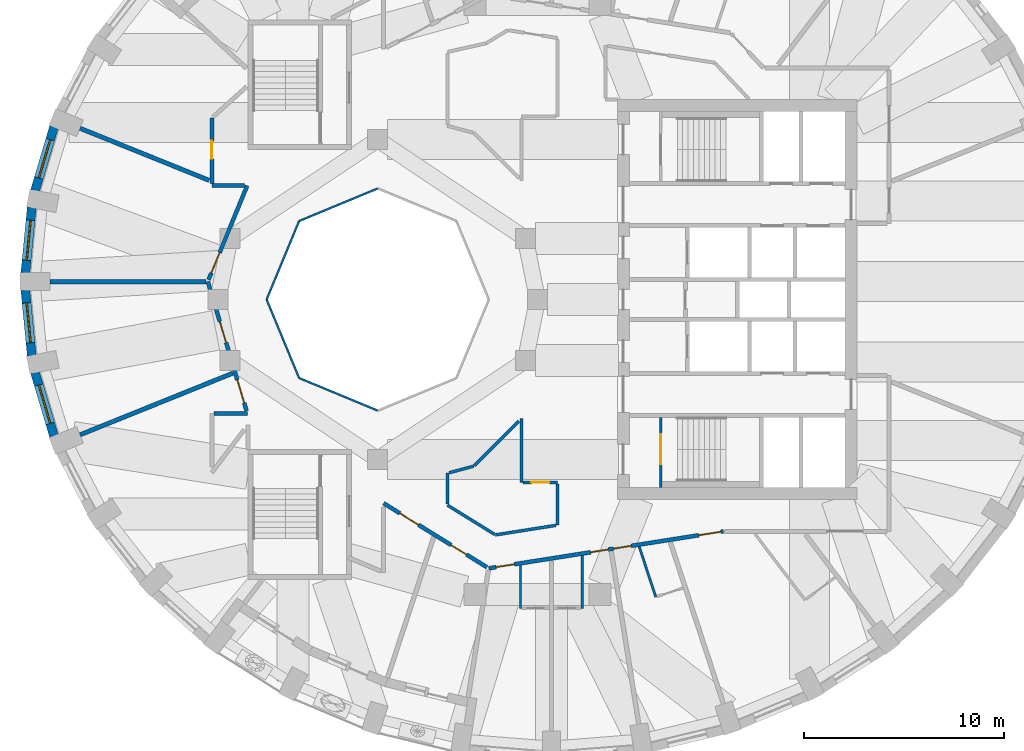
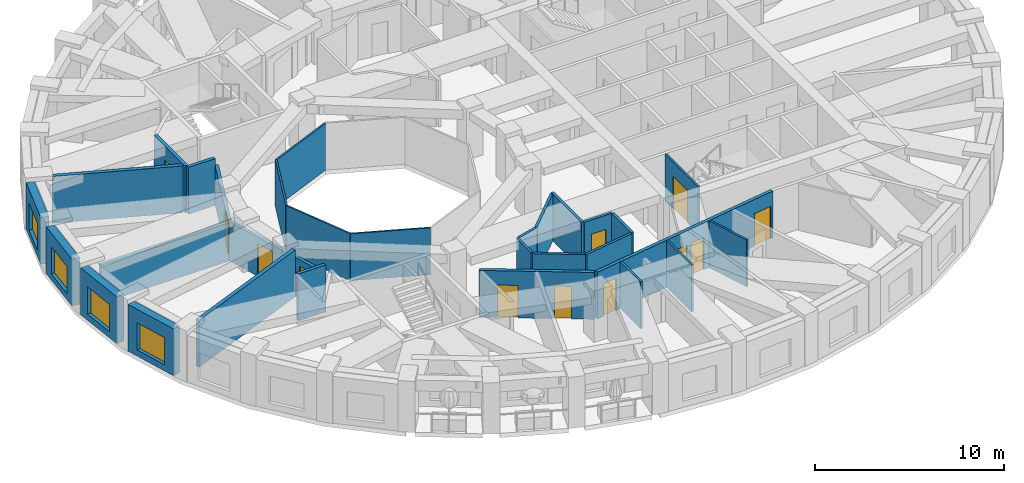
# One storey, part 4 of 12: 30 walls, 12 doors, 4 windows, 16 openings.
"""IFC4 building model written with IfcOpenShell, lengths in metres."""

from ifc_helpers import new_model, si_unit, direction, frame, frame_2d, origin, place, context, subcontext, project, spatial, rectangle, extrude, material, layer, layer_set, type_object, element, fill, save


model = new_model("IFC4")

# Units and contexts
model_context = context("Model", 3, precision=1e-05, world=origin(), true_north=direction((0.0, 1.0)))
body_context = subcontext(model_context, "Body", "Model", "MODEL_VIEW")
ifc_project = project(units=[si_unit("LENGTHUNIT", "METRE"), si_unit("AREAUNIT", "SQUARE_METRE"), si_unit("VOLUMEUNIT", "CUBIC_METRE"), si_unit("PLANEANGLEUNIT", "RADIAN"), si_unit("MASSUNIT", "GRAM", prefix="KILO")], contexts=[model_context])

# Site, building, storey
site_placement = place(None, origin())
site = spatial("IfcSite", under=ifc_project, at=site_placement, CompositionType="ELEMENT")
building_placement = place(site_placement, origin())
building = spatial("IfcBuilding", under=site, at=building_placement, Name="Taillehof Tower", CompositionType="ELEMENT")
storey_placement = place(building_placement, frame((0.0, 0.0, 215.60009765625)))
storey = spatial("IfcBuildingStorey", under=building, at=storey_placement, Name="L61", CompositionType="ELEMENT", Elevation=215.60009765625)

# Walls
ifc_material_1 = material(Name="Fire-resisting glass in steel frame", Category="steel")
ifc_layer_1 = layer(ifc_material_1, 0.10009765625)
ifc_layer_set_1 = layer_set([ifc_layer_1], Name="Atrium fire-resisting screen EI 60 100")
wall_type_1 = type_object("IfcWallType", Name="Atrium fire-resisting screen EI 60 100", PredefinedType="PARTITIONING", material=ifc_layer_set_1)
for number, where, z_axis, x_axis, name in (
    (1, (-8.0, -5.55419921875, 0.0), (0.0, 0.0, 1.0), (-0.923860025149, 0.382730523909, 0.0), "Atrium screen"),
    (2, (-11.92724609375, -3.92724609375, 0.0), (0.0, 0.0, 1.0), (-0.382730523909, 0.923860025149, 0.0), "Atrium screen"),
    (3, (-13.55419921875, 0.0, 0.0), (0.0, 0.0, 1.0), (0.382730523909, 0.923860025149, 0.0), "Atrium screen"),
    (4, (-11.92724609375, 3.92724609375, 0.0), (0.0, 0.0, 1.0), (0.923860025149, 0.382730523909, 0.0), "Atrium screen"),
):
    element("IfcWall", number, at=place(storey_placement, frame(where, z_axis=z_axis, x_axis=x_axis)), inside=storey, type_object=wall_type_1, Name=name, PredefinedType="PARTITIONING", context=body_context, shape_type="SweptSolid", body=[
        extrude(rectangle(XDim=4.2509765625, YDim=0.10009765625, at=frame_2d((2.12548828125, 0.0))), origin(), (0.0, 0.0, 1.0), 3.02001953125),
    ])

# Wall, opening, window
ifc_material_2 = material(Name="Brick masonry", Category="masonry")
ifc_layer_2 = layer(ifc_material_2, 0.449951171875)
ifc_layer_set_2 = layer_set([ifc_layer_2], Name="Brick infill wall 450")
wall_type_2 = type_object("IfcWallType", Name="Brick infill wall 450", PredefinedType="SOLIDWALL", material=ifc_layer_set_2)
wall_1_placement = place(storey_placement, frame((-24.200439453125, 8.634033203125, 0.0), z_axis=(0.0, 0.0, 1.0), x_axis=(-0.285444972963, -0.958395099847, 0.0)))
wall_1 = element("IfcWall", 5, at=wall_1_placement, inside=storey, type_object=wall_type_2, Name="Brick wall L61 bay 17", PredefinedType="SOLIDWALL", context=body_context, shape_type="SweptSolid", body=[
    extrude(rectangle(XDim=3.3203125, YDim=0.449951171875, at=frame_2d((1.66015625, 0.0))), origin(), (0.0, 0.0, 1.0), 3.02001953125),
])
opening_1_placement = place(wall_1_placement, frame((0.66015625, 0.0, 0.39990234375)))
opening_1 = element("IfcOpeningElement", 6, at=opening_1_placement, cuts=wall_1, Name="Opening W2", PredefinedType="OPENING", context=body_context, shape_type="SweptSolid", body=[
    extrude(rectangle(XDim=2.0, YDim=1.75, at=frame_2d((1.0, 0.875))), frame((0.0, 0.23486328125, 0.0), z_axis=(0.0, -1.0, 0.0), x_axis=(1.0, 0.0, 0.0)), (0.0, 0.0, 1.0), 0.469970703125),
])
ifc_material_3 = material(Name="Aluminium window frame with clear double glazing", Category="aluminium")
window_type = type_object("IfcWindowType", Name="Deep-set window 2000x1750", PartitioningType="SINGLE_PANEL", PredefinedType="WINDOW", material=ifc_material_3)
window_1_placement = place(opening_1_placement, origin())
window_1 = element("IfcWindow", 7, at=window_1_placement, inside=storey, type_object=window_type, Name="W2", OverallHeight=1.75, OverallWidth=2.0, PartitioningType="SINGLE_PANEL", PredefinedType="WINDOW", context=body_context, shape_type="SweptSolid", body=[
    extrude(rectangle(XDim=2.0, YDim=1.75, at=frame_2d((1.0, 0.875))), frame((0.0, 0.034912109375, 0.0), z_axis=(0.0, -1.0, 0.0), x_axis=(1.0, 0.0, 0.0)), (0.0, 0.0, 1.0), 0.06005859375),
])
fill(opening_1, window_1)

wall_2_placement = place(storey_placement, frame((-25.313232421875, 4.607666015625, 0.0), z_axis=(0.0, 0.0, 1.0), x_axis=(-0.096824116835, -0.995301507283, 0.0)))
wall_2 = element("IfcWall", 8, at=wall_2_placement, inside=storey, type_object=wall_type_2, Name="Brick wall L61 bay 18", PredefinedType="SOLIDWALL", context=body_context, shape_type="SweptSolid", body=[
    extrude(rectangle(XDim=3.29296875, YDim=0.449951171875, at=frame_2d((1.646484375, 0.0))), origin(), (0.0, 0.0, 1.0), 3.02001953125),
])
opening_2_placement = place(wall_2_placement, frame((0.646484375, 0.0, 0.39990234375)))
opening_2 = element("IfcOpeningElement", 9, at=opening_2_placement, cuts=wall_2, Name="Opening W2", PredefinedType="OPENING", context=body_context, shape_type="SweptSolid", body=[
    extrude(rectangle(XDim=2.0, YDim=1.75, at=frame_2d((1.0, 0.875))), frame((0.0, 0.23486328125, 0.0), z_axis=(0.0, -1.0, 0.0), x_axis=(1.0, 0.0, 0.0)), (0.0, 0.0, 1.0), 0.469970703125),
])
window_2_placement = place(opening_2_placement, origin())
window_2 = element("IfcWindow", 10, at=window_2_placement, inside=storey, type_object=window_type, Name="W2", OverallHeight=1.75, OverallWidth=2.0, PartitioningType="SINGLE_PANEL", PredefinedType="WINDOW", context=body_context, shape_type="SweptSolid", body=[
    extrude(rectangle(XDim=2.0, YDim=1.75, at=frame_2d((1.0, 0.875))), frame((0.0, 0.034912109375, 0.0), z_axis=(0.0, -1.0, 0.0), x_axis=(1.0, 0.0, 0.0)), (0.0, 0.0, 1.0), 0.06005859375),
])
fill(opening_2, window_2)

wall_3_placement = place(storey_placement, frame((-25.632080078125, 0.469970703125, 0.0), z_axis=(0.0, 0.0, 1.0), x_axis=(0.096816972749, -0.995302202242, 0.0)))
wall_3 = element("IfcWall", 11, at=wall_3_placement, inside=storey, type_object=wall_type_2, Name="Brick wall L61 bay 19", PredefinedType="SOLIDWALL", context=body_context, shape_type="SweptSolid", body=[
    extrude(rectangle(XDim=3.293212890625, YDim=0.449951171875, at=frame_2d((1.646484375, 0.0))), origin(), (0.0, 0.0, 1.0), 3.02001953125),
])
opening_3_placement = place(wall_3_placement, frame((0.646484375, 0.0, 0.39990234375)))
opening_3 = element("IfcOpeningElement", 12, at=opening_3_placement, cuts=wall_3, Name="Opening W2", PredefinedType="OPENING", context=body_context, shape_type="SweptSolid", body=[
    extrude(rectangle(XDim=2.0, YDim=1.75, at=frame_2d((1.0, 0.875))), frame((0.0, 0.23486328125, 0.0), z_axis=(0.0, -1.0, 0.0), x_axis=(1.0, 0.0, 0.0)), (0.0, 0.0, 1.0), 0.469970703125),
])
window_3_placement = place(opening_3_placement, origin())
window_3 = element("IfcWindow", 13, at=window_3_placement, inside=storey, type_object=window_type, Name="W2", OverallHeight=1.75, OverallWidth=2.0, PartitioningType="SINGLE_PANEL", PredefinedType="WINDOW", context=body_context, shape_type="SweptSolid", body=[
    extrude(rectangle(XDim=2.0, YDim=1.75, at=frame_2d((1.0, 0.875))), frame((0.0, 0.034912109375, 0.0), z_axis=(0.0, -1.0, 0.0), x_axis=(1.0, 0.0, 0.0)), (0.0, 0.0, 1.0), 0.06005859375),
])
fill(opening_3, window_3)

wall_4_placement = place(storey_placement, frame((-25.148193359375, -3.65185546875, 0.0), z_axis=(0.0, 0.0, 1.0), x_axis=(0.285444972963, -0.958395099847, 0.0)))
wall_4 = element("IfcWall", 14, at=wall_4_placement, inside=storey, type_object=wall_type_2, Name="Brick wall L61 bay 20", PredefinedType="SOLIDWALL", context=body_context, shape_type="SweptSolid", body=[
    extrude(rectangle(XDim=3.3203125, YDim=0.449951171875, at=frame_2d((1.66015625, 0.0))), origin(), (0.0, 0.0, 1.0), 3.02001953125),
])
opening_4_placement = place(wall_4_placement, frame((0.66015625, 0.0, 0.39990234375)))
opening_4 = element("IfcOpeningElement", 15, at=opening_4_placement, cuts=wall_4, Name="Opening W2", PredefinedType="OPENING", context=body_context, shape_type="SweptSolid", body=[
    extrude(rectangle(XDim=2.0, YDim=1.75, at=frame_2d((1.0, 0.875))), frame((0.0, 0.23486328125, 0.0), z_axis=(0.0, -1.0, 0.0), x_axis=(1.0, 0.0, 0.0)), (0.0, 0.0, 1.0), 0.469970703125),
])
window_4_placement = place(opening_4_placement, origin())
window_4 = element("IfcWindow", 16, at=window_4_placement, inside=storey, type_object=window_type, Name="W2", OverallHeight=1.75, OverallWidth=2.0, PartitioningType="SINGLE_PANEL", PredefinedType="WINDOW", context=body_context, shape_type="SweptSolid", body=[
    extrude(rectangle(XDim=2.0, YDim=1.75, at=frame_2d((1.0, 0.875))), frame((0.0, 0.034912109375, 0.0), z_axis=(0.0, -1.0, 0.0), x_axis=(1.0, 0.0, 0.0)), (0.0, 0.0, 1.0), 0.06005859375),
])
fill(opening_4, window_4)

# Wall, openings, doors
ifc_material_4 = material(Name="Gypsum board on steel studs, two layers each side", Category="steel")
ifc_layer_3 = layer(ifc_material_4, 0.199951171875)
ifc_layer_set_3 = layer_set([ifc_layer_3], Name="Compartment wall corridor 200")
wall_type_3 = type_object("IfcWallType", Name="Compartment wall corridor 200", PredefinedType="PARTITIONING", material=ifc_layer_set_3)
wall_5_placement = place(storey_placement, frame((9.306396484375, -11.603271484375, 0.0), z_axis=(0.0, 0.0, 1.0), x_axis=(-0.987842562114, -0.155457622769, 0.0)))
wall_5 = element("IfcWall", 17, at=wall_5_placement, inside=storey, type_object=wall_type_3, Name="Compartment wall", PredefinedType="PARTITIONING", context=body_context, shape_type="SweptSolid", body=[
    extrude(rectangle(XDim=11.89306640625, YDim=0.199951171875, at=frame_2d((5.946533203125, 0.0))), origin(), (0.0, 0.0, 1.0), 3.02001953125),
])
opening_5_placement = place(wall_5_placement, frame((10.60693359375, 0.0, 0.0)))
opening_5 = element("IfcOpeningElement", 18, at=opening_5_placement, cuts=wall_5, Name="Opening D6154", PredefinedType="OPENING", context=body_context, shape_type="SweptSolid", body=[
    extrude(rectangle(XDim=0.89990234375, YDim=2.10009765625, at=frame_2d((0.449951171875, 1.050048828125))), frame((0.0, 0.10986328125, 0.0), z_axis=(0.0, -1.0, 0.0), x_axis=(1.0, 0.0, 0.0)), (0.0, 0.0, 1.0), 0.219970703125),
])
opening_6_placement = place(wall_5_placement, frame((5.829345703125, 0.0, 0.0)))
opening_6 = element("IfcOpeningElement", 19, at=opening_6_placement, cuts=wall_5, Name="Opening D6156", PredefinedType="OPENING", context=body_context, shape_type="SweptSolid", body=[
    extrude(rectangle(XDim=0.89990234375, YDim=2.10009765625, at=frame_2d((0.449951171875, 1.050048828125))), frame((0.0, 0.10986328125, 0.0), z_axis=(0.0, -1.0, 0.0), x_axis=(1.0, 0.0, 0.0)), (0.0, 0.0, 1.0), 0.219970703125),
])
opening_7_placement = place(wall_5_placement, frame((4.66943359375, 0.0, 0.0)))
opening_7 = element("IfcOpeningElement", 20, at=opening_7_placement, cuts=wall_5, Name="Opening D6158", PredefinedType="OPENING", context=body_context, shape_type="SweptSolid", body=[
    extrude(rectangle(XDim=0.89990234375, YDim=2.10009765625, at=frame_2d((0.449951171875, 1.050048828125))), frame((0.0, 0.10986328125, 0.0), z_axis=(0.0, -1.0, 0.0), x_axis=(1.0, 0.0, 0.0)), (0.0, 0.0, 1.0), 0.219970703125),
])
opening_8_placement = place(wall_5_placement, frame((0.139892578125, 0.0, 0.0)))
opening_8 = element("IfcOpeningElement", 21, at=opening_8_placement, cuts=wall_5, Name="Opening D6160", PredefinedType="OPENING", context=body_context, shape_type="SweptSolid", body=[
    extrude(rectangle(XDim=1.10009765625, YDim=2.10009765625, at=frame_2d((0.550048828125, 1.050048828125))), frame((0.0, 0.10986328125, 0.0), z_axis=(0.0, -1.0, 0.0), x_axis=(1.0, 0.0, 0.0)), (0.0, 0.0, 1.0), 0.219970703125),
])
ifc_material_5 = material(Name="Timber door leaf in steel frame", Category="steel")
door_type_1 = type_object("IfcDoorType", Name="Guest room door EI 30 900 x 2100", OperationType="SINGLE_SWING_LEFT", PredefinedType="DOOR", material=ifc_material_5)
door_1_placement = place(opening_5_placement, origin())
door_1 = element("IfcDoor", 22, at=door_1_placement, inside=storey, type_object=door_type_1, Name="D6154", OperationType="SINGLE_SWING_LEFT", OverallHeight=2.10009765625, OverallWidth=0.89990234375, PredefinedType="DOOR", context=body_context, shape_type="SweptSolid", body=[
    extrude(rectangle(XDim=0.89990234375, YDim=2.10009765625, at=frame_2d((0.449951171875, 1.050048828125))), frame((0.0, 0.02490234375, 0.0), z_axis=(0.0, -1.0, 0.0), x_axis=(1.0, 0.0, 0.0)), (0.0, 0.0, 1.0), 0.050048828125),
])
fill(opening_5, door_1)
door_2_placement = place(opening_6_placement, origin())
door_2 = element("IfcDoor", 23, at=door_2_placement, inside=storey, type_object=door_type_1, Name="D6156", OperationType="SINGLE_SWING_LEFT", OverallHeight=2.10009765625, OverallWidth=0.89990234375, PredefinedType="DOOR", context=body_context, shape_type="SweptSolid", body=[
    extrude(rectangle(XDim=0.89990234375, YDim=2.10009765625, at=frame_2d((0.449951171875, 1.050048828125))), frame((0.0, 0.02490234375, 0.0), z_axis=(0.0, -1.0, 0.0), x_axis=(1.0, 0.0, 0.0)), (0.0, 0.0, 1.0), 0.050048828125),
])
fill(opening_6, door_2)
door_3_placement = place(opening_7_placement, origin())
door_3 = element("IfcDoor", 24, at=door_3_placement, inside=storey, type_object=door_type_1, Name="D6158", OperationType="SINGLE_SWING_RIGHT", OverallHeight=2.10009765625, OverallWidth=0.89990234375, PredefinedType="DOOR", context=body_context, shape_type="SweptSolid", body=[
    extrude(rectangle(XDim=0.89990234375, YDim=2.10009765625, at=frame_2d((0.449951171875, 1.050048828125))), frame((0.0, 0.02490234375, 0.0), z_axis=(0.0, -1.0, 0.0), x_axis=(1.0, 0.0, 0.0)), (0.0, 0.0, 1.0), 0.050048828125),
])
fill(opening_7, door_3)
ifc_material_6 = material(Name="Timber door leaf in steel frame", Category="steel")
door_type_2 = type_object("IfcDoorType", Name="Suite entrance door EI 30 1100 x 2100", OperationType="SINGLE_SWING_LEFT", PredefinedType="DOOR", material=ifc_material_6)
door_4_placement = place(opening_8_placement, origin())
door_4 = element("IfcDoor", 25, at=door_4_placement, inside=storey, type_object=door_type_2, Name="D6160", OperationType="SINGLE_SWING_LEFT", OverallHeight=2.10009765625, OverallWidth=1.10009765625, PredefinedType="DOOR", context=body_context, shape_type="SweptSolid", body=[
    extrude(rectangle(XDim=1.10009765625, YDim=2.10009765625, at=frame_2d((0.550048828125, 1.050048828125))), frame((0.0, 0.02490234375, 0.0), z_axis=(0.0, -1.0, 0.0), x_axis=(1.0, 0.0, 0.0)), (0.0, 0.0, 1.0), 0.050048828125),
])
fill(opening_8, door_4)

wall_6_placement = place(storey_placement, frame((-2.527587890625, -13.399658203125, 0.0), z_axis=(0.0, 0.0, 1.0), x_axis=(-0.850088088191, 0.526640524757, 0.0)))
wall_6 = element("IfcWall", 26, at=wall_6_placement, inside=storey, type_object=wall_type_3, Name="Compartment wall", PredefinedType="PARTITIONING", context=body_context, shape_type="SweptSolid", body=[
    extrude(rectangle(XDim=6.08447265625, YDim=0.199951171875, at=frame_2d((3.042236328125, 0.0))), origin(), (0.0, 0.0, 1.0), 3.02001953125),
])
opening_9_placement = place(wall_6_placement, frame((4.031494140625, 0.0, 0.0)))
opening_9 = element("IfcOpeningElement", 27, at=opening_9_placement, cuts=wall_6, Name="Opening D6152", PredefinedType="OPENING", context=body_context, shape_type="SweptSolid", body=[
    extrude(rectangle(XDim=1.10009765625, YDim=2.10009765625, at=frame_2d((0.550048828125, 1.050048828125))), frame((0.0, 0.10986328125, 0.0), z_axis=(0.0, -1.0, 0.0), x_axis=(1.0, 0.0, 0.0)), (0.0, 0.0, 1.0), 0.219970703125),
])
opening_10_placement = place(wall_6_placement, frame((1.206298828125, 0.0, 0.0)))
opening_10 = element("IfcOpeningElement", 28, at=opening_10_placement, cuts=wall_6, Name="Opening D6153", PredefinedType="OPENING", context=body_context, shape_type="SweptSolid", body=[
    extrude(rectangle(XDim=0.89990234375, YDim=2.10009765625, at=frame_2d((0.449951171875, 1.050048828125))), frame((0.0, 0.10986328125, 0.0), z_axis=(0.0, -1.0, 0.0), x_axis=(1.0, 0.0, 0.0)), (0.0, 0.0, 1.0), 0.219970703125),
])
ifc_material_7 = material(Name="Timber door leaf in steel frame", Category="steel")
door_type_3 = type_object("IfcDoorType", Name="Service room door EI 30 900 x 2100", OperationType="SINGLE_SWING_LEFT", PredefinedType="DOOR", material=ifc_material_7)
door_5_placement = place(opening_10_placement, origin())
door_5 = element("IfcDoor", 29, at=door_5_placement, inside=storey, type_object=door_type_3, Name="D6153", OperationType="SINGLE_SWING_RIGHT", OverallHeight=2.10009765625, OverallWidth=0.89990234375, PredefinedType="DOOR", context=body_context, shape_type="SweptSolid", body=[
    extrude(rectangle(XDim=0.89990234375, YDim=2.10009765625, at=frame_2d((0.449951171875, 1.050048828125))), frame((0.0, 0.02490234375, 0.0), z_axis=(0.0, -1.0, 0.0), x_axis=(1.0, 0.0, 0.0)), (0.0, 0.0, 1.0), 0.050048828125),
])
fill(opening_10, door_5)
door_6_placement = place(opening_9_placement, origin())
door_6 = element("IfcDoor", 30, at=door_6_placement, inside=storey, type_object=door_type_2, Name="D6152", OperationType="SINGLE_SWING_RIGHT", OverallHeight=2.10009765625, OverallWidth=1.10009765625, PredefinedType="DOOR", context=body_context, shape_type="SweptSolid", body=[
    extrude(rectangle(XDim=1.10009765625, YDim=2.10009765625, at=frame_2d((0.550048828125, 1.050048828125))), frame((0.0, 0.02490234375, 0.0), z_axis=(0.0, -1.0, 0.0), x_axis=(1.0, 0.0, 0.0)), (0.0, 0.0, 1.0), 0.050048828125),
])
fill(opening_9, door_6)

# Wall
wall_7_placement = place(storey_placement, frame((-16.199951171875, -5.699951171875, 0.0), z_axis=(0.0, 0.0, 1.0), x_axis=(1.0, 0.0, 0.0)))
element("IfcWall", 31, at=wall_7_placement, inside=storey, type_object=wall_type_3, Name="Compartment wall", PredefinedType="PARTITIONING", context=body_context, shape_type="SweptSolid", body=[
    extrude(rectangle(XDim=1.681396484375, YDim=0.199951171875, at=frame_2d((0.8408203125, 0.0))), origin(), (0.0, 0.0, 1.0), 3.02001953125),
])

# Wall, openings, doors
wall_8_placement = place(storey_placement, frame((-14.5595703125, -5.566650390625, 0.0), z_axis=(0.0, 0.0, 1.0), x_axis=(-0.287410918602, 0.95780737305, 0.0)))
wall_8 = element("IfcWall", 32, at=wall_8_placement, inside=storey, type_object=wall_type_3, Name="Compartment wall", PredefinedType="PARTITIONING", context=body_context, shape_type="SweptSolid", body=[
    extrude(rectangle(XDim=6.75146484375, YDim=0.199951171875, at=frame_2d((3.375732421875, 0.0))), origin(), (0.0, 0.0, 1.0), 2.52001953125),
])
opening_11_placement = place(wall_8_placement, frame((3.561279296875, 0.0, 0.0)))
opening_11 = element("IfcOpeningElement", 33, at=opening_11_placement, cuts=wall_8, Name="Opening D6150", PredefinedType="OPENING", context=body_context, shape_type="SweptSolid", body=[
    extrude(rectangle(XDim=1.10009765625, YDim=2.10009765625, at=frame_2d((0.550048828125, 1.050048828125))), frame((0.0, 0.10986328125, 0.0), z_axis=(0.0, -1.0, 0.0), x_axis=(1.0, 0.0, 0.0)), (0.0, 0.0, 1.0), 0.219970703125),
])
opening_12_placement = place(wall_8_placement, frame((0.409912109375, 0.0, 0.0)))
opening_12 = element("IfcOpeningElement", 34, at=opening_12_placement, cuts=wall_8, Name="Opening D6151", PredefinedType="OPENING", context=body_context, shape_type="SweptSolid", body=[
    extrude(rectangle(XDim=1.199951171875, YDim=2.10009765625, at=frame_2d((0.60009765625, 1.050048828125))), frame((0.0, 0.10986328125, 0.0), z_axis=(0.0, -1.0, 0.0), x_axis=(1.0, 0.0, 0.0)), (0.0, 0.0, 1.0), 0.219970703125),
])
door_7_placement = place(opening_11_placement, origin())
door_7 = element("IfcDoor", 35, at=door_7_placement, inside=storey, type_object=door_type_2, Name="D6150", OperationType="SINGLE_SWING_LEFT", OverallHeight=2.10009765625, OverallWidth=1.10009765625, PredefinedType="DOOR", context=body_context, shape_type="SweptSolid", body=[
    extrude(rectangle(XDim=1.10009765625, YDim=2.10009765625, at=frame_2d((0.550048828125, 1.050048828125))), frame((0.0, 0.02490234375, 0.0), z_axis=(0.0, -1.0, 0.0), x_axis=(1.0, 0.0, 0.0)), (0.0, 0.0, 1.0), 0.050048828125),
])
fill(opening_11, door_7)
ifc_material_8 = material(Name="Timber door leaf in steel frame", Category="steel")
door_type_4 = type_object("IfcDoorType", Name="Suite entrance door EI 30 1200 x 2100", OperationType="SINGLE_SWING_LEFT", PredefinedType="DOOR", material=ifc_material_8)
door_8_placement = place(opening_12_placement, origin())
door_8 = element("IfcDoor", 36, at=door_8_placement, inside=storey, type_object=door_type_4, Name="D6151", OperationType="SINGLE_SWING_RIGHT", OverallHeight=2.10009765625, OverallWidth=1.199951171875, PredefinedType="DOOR", context=body_context, shape_type="SweptSolid", body=[
    extrude(rectangle(XDim=1.199951171875, YDim=2.10009765625, at=frame_2d((0.60009765625, 1.050048828125))), frame((0.0, 0.02490234375, 0.0), z_axis=(0.0, -1.0, 0.0), x_axis=(1.0, 0.0, 0.0)), (0.0, 0.0, 1.0), 0.050048828125),
])
fill(opening_12, door_8)

# Wall, opening, door
wall_9_placement = place(storey_placement, frame((-16.462158203125, 0.99267578125, 0.0), z_axis=(0.0, 0.0, 1.0), x_axis=(0.37991958703, 0.925019517303, 0.0)))
wall_9 = element("IfcWall", 37, at=wall_9_placement, inside=storey, type_object=wall_type_3, Name="Compartment wall", PredefinedType="PARTITIONING", context=body_context, shape_type="SweptSolid", body=[
    extrude(rectangle(XDim=5.0888671875, YDim=0.199951171875, at=frame_2d((2.54443359375, 0.0))), origin(), (0.0, 0.0, 1.0), 2.52001953125),
])
opening_13_placement = place(wall_9_placement, frame((0.359619140625, 0.0, 0.0)))
opening_13 = element("IfcOpeningElement", 38, at=opening_13_placement, cuts=wall_9, Name="Opening D6149", PredefinedType="OPENING", context=body_context, shape_type="SweptSolid", body=[
    extrude(rectangle(XDim=1.10009765625, YDim=2.10009765625, at=frame_2d((0.550048828125, 1.050048828125))), frame((0.0, 0.10986328125, 0.0), z_axis=(0.0, -1.0, 0.0), x_axis=(1.0, 0.0, 0.0)), (0.0, 0.0, 1.0), 0.219970703125),
])
door_9_placement = place(opening_13_placement, origin())
door_9 = element("IfcDoor", 39, at=door_9_placement, inside=storey, type_object=door_type_2, Name="D6149", OperationType="SINGLE_SWING_LEFT", OverallHeight=2.10009765625, OverallWidth=1.10009765625, PredefinedType="DOOR", context=body_context, shape_type="SweptSolid", body=[
    extrude(rectangle(XDim=1.10009765625, YDim=2.10009765625, at=frame_2d((0.550048828125, 1.050048828125))), frame((0.0, 0.02490234375, 0.0), z_axis=(0.0, -1.0, 0.0), x_axis=(1.0, 0.0, 0.0)), (0.0, 0.0, 1.0), 0.050048828125),
])
fill(opening_13, door_9)

# Wall
wall_10_placement = place(storey_placement, frame((-14.6689453125, 5.699951171875, 0.0), z_axis=(0.0, 0.0, 1.0), x_axis=(-1.0, 0.0, 0.0)))
element("IfcWall", 40, at=wall_10_placement, inside=storey, type_object=wall_type_3, Name="Compartment wall", PredefinedType="PARTITIONING", context=body_context, shape_type="SweptSolid", body=[
    extrude(rectangle(XDim=1.631103515625, YDim=0.199951171875, at=frame_2d((0.8154296875, 0.0))), origin(), (0.0, 0.0, 1.0), 3.02001953125),
])

# Wall, opening, door
wall_11_placement = place(storey_placement, frame((-16.300048828125, 5.800048828125, 0.0), z_axis=(0.0, 0.0, 1.0), x_axis=(0.0, 1.0, 0.0)))
wall_11 = element("IfcWall", 41, at=wall_11_placement, inside=storey, type_object=wall_type_3, Name="Compartment wall", PredefinedType="PARTITIONING", context=body_context, shape_type="SweptSolid", body=[
    extrude(rectangle(XDim=3.28271484375, YDim=0.199951171875, at=frame_2d((1.641357421875, 0.0))), origin(), (0.0, 0.0, 1.0), 3.02001953125),
])
opening_14_placement = place(wall_11_placement, frame((1.2412109375, 0.0, 0.0)))
opening_14 = element("IfcOpeningElement", 42, at=opening_14_placement, cuts=wall_11, Name="Opening D6148", PredefinedType="OPENING", context=body_context, shape_type="SweptSolid", body=[
    extrude(rectangle(XDim=0.89990234375, YDim=2.10009765625, at=frame_2d((0.449951171875, 1.050048828125))), frame((0.0, 0.10986328125, 0.0), z_axis=(0.0, -1.0, 0.0), x_axis=(1.0, 0.0, 0.0)), (0.0, 0.0, 1.0), 0.219970703125),
])
door_10_placement = place(opening_14_placement, origin())
door_10 = element("IfcDoor", 43, at=door_10_placement, inside=storey, type_object=door_type_3, Name="D6148", OperationType="SINGLE_SWING_LEFT", OverallHeight=2.10009765625, OverallWidth=0.89990234375, PredefinedType="DOOR", context=body_context, shape_type="SweptSolid", body=[
    extrude(rectangle(XDim=0.89990234375, YDim=2.10009765625, at=frame_2d((0.449951171875, 1.050048828125))), frame((0.0, 0.02490234375, 0.0), z_axis=(0.0, -1.0, 0.0), x_axis=(1.0, 0.0, 0.0)), (0.0, 0.0, 1.0), 0.050048828125),
])
fill(opening_14, door_10)

# Walls
ifc_material_9 = material(Name="Gypsum board on double steel studs with mineral wool", Category="steel")
ifc_layer_4 = layer(ifc_material_9, 0.219970703125)
ifc_layer_set_4 = layer_set([ifc_layer_4], Name="Compartment wall guest room 220")
wall_type_4 = type_object("IfcWallType", Name="Compartment wall guest room 220", PredefinedType="PARTITIONING", material=ifc_layer_set_4)
wall_12_placement = place(storey_placement, frame((-22.8955078125, 8.5712890625, 0.0), z_axis=(0.0, 0.0, 1.0), x_axis=(0.927387137769, -0.374103056256, 0.0)))
element("IfcWall", 44, at=wall_12_placement, inside=storey, type_object=wall_type_4, Name="Compartment wall", PredefinedType="PARTITIONING", context=body_context, shape_type="SweptSolid", body=[
    extrude(rectangle(XDim=6.9638671875, YDim=0.219970703125, at=frame_2d((3.48193359375, 0.0))), origin(), (0.0, 0.0, 1.0), 3.02001953125),
])
wall_13_placement = place(storey_placement, frame((-24.39990234375, 0.89990234375, 0.0), z_axis=(0.0, 0.0, 1.0), x_axis=(1.0, 0.0, 0.0)))
element("IfcWall", 45, at=wall_13_placement, inside=storey, type_object=wall_type_4, Name="Compartment wall", PredefinedType="PARTITIONING", context=body_context, shape_type="SweptSolid", body=[
    extrude(rectangle(XDim=7.7998046875, YDim=0.219970703125, at=frame_2d((3.89990234375, 0.0))), origin(), (0.0, 0.0, 1.0), 2.469970703125),
])
wall_14_placement = place(storey_placement, frame((-22.8955078125, -6.771484375, 0.0), z_axis=(0.0, 0.0, 1.0), x_axis=(0.92738233242, 0.374114968313, 0.0)))
element("IfcWall", 46, at=wall_14_placement, inside=storey, type_object=wall_type_4, Name="Compartment wall", PredefinedType="PARTITIONING", context=body_context, shape_type="SweptSolid", body=[
    extrude(rectangle(XDim=8.24609375, YDim=0.219970703125, at=frame_2d((4.123046875, 0.0))), origin(), (0.0, 0.0, 1.0), 3.02001953125),
])
ifc_material_10 = material(Name="Gypsum board on steel studs, two layers each side", Category="steel")
ifc_layer_5 = layer(ifc_material_10, 0.14990234375)
ifc_layer_set_5 = layer_set([ifc_layer_5], Name="Compartment wall service room 150")
wall_type_5 = type_object("IfcWallType", Name="Compartment wall service room 150", PredefinedType="PARTITIONING", material=ifc_layer_set_5)
wall_15_placement = place(storey_placement, frame((-0.800048828125, -5.9521484375, 0.0), z_axis=(0.0, 0.0, 1.0), x_axis=(0.0, -1.0, 0.0)))
element("IfcWall", 47, at=wall_15_placement, inside=storey, type_object=wall_type_5, Name="Compartment wall", PredefinedType="PARTITIONING", context=body_context, shape_type="SweptSolid", body=[
    extrude(rectangle(XDim=3.19775390625, YDim=0.14990234375, at=frame_2d((1.598876953125, 0.0))), origin(), (0.0, 0.0, 1.0), 3.02001953125),
])

# Wall, opening, door
wall_16_placement = place(storey_placement, frame((-0.719970703125, -9.14990234375, 0.0), z_axis=(0.0, 0.0, 1.0), x_axis=(1.0, 0.0, 0.0)))
wall_16 = element("IfcWall", 48, at=wall_16_placement, inside=storey, type_object=wall_type_5, Name="Compartment wall", PredefinedType="PARTITIONING", context=body_context, shape_type="SweptSolid", body=[
    extrude(rectangle(XDim=1.719970703125, YDim=0.14990234375, at=frame_2d((0.85986328125, 0.0))), origin(), (0.0, 0.0, 1.0), 3.02001953125),
])
opening_15_placement = place(wall_16_placement, frame((0.409912109375, 0.0, 0.0)))
opening_15 = element("IfcOpeningElement", 49, at=opening_15_placement, cuts=wall_16, Name="Opening D6167", PredefinedType="OPENING", context=body_context, shape_type="SweptSolid", body=[
    extrude(rectangle(XDim=0.89990234375, YDim=2.10009765625, at=frame_2d((0.449951171875, 1.050048828125))), frame((0.0, 0.0849609375, 0.0), z_axis=(0.0, -1.0, 0.0), x_axis=(1.0, 0.0, 0.0)), (0.0, 0.0, 1.0), 0.169921875),
])
door_11_placement = place(opening_15_placement, origin())
door_11 = element("IfcDoor", 50, at=door_11_placement, inside=storey, type_object=door_type_3, Name="D6167", OperationType="SINGLE_SWING_LEFT", OverallHeight=2.10009765625, OverallWidth=0.89990234375, PredefinedType="DOOR", context=body_context, shape_type="SweptSolid", body=[
    extrude(rectangle(XDim=0.89990234375, YDim=2.10009765625, at=frame_2d((0.449951171875, 1.050048828125))), frame((0.0, 0.02490234375, 0.0), z_axis=(0.0, -1.0, 0.0), x_axis=(1.0, 0.0, 0.0)), (0.0, 0.0, 1.0), 0.050048828125),
])
fill(opening_15, door_11)

# Walls
wall_17_placement = place(storey_placement, frame((1.0, -9.22998046875, 0.0), z_axis=(0.0, 0.0, 1.0), x_axis=(0.0, -1.0, 0.0)))
element("IfcWall", 51, at=wall_17_placement, inside=storey, type_object=wall_type_5, Name="Compartment wall", PredefinedType="PARTITIONING", context=body_context, shape_type="SweptSolid", body=[
    extrude(rectangle(XDim=2.060791015625, YDim=0.14990234375, at=frame_2d((1.0302734375, 0.0))), origin(), (0.0, 0.0, 1.0), 3.02001953125),
])
wall_18_placement = place(storey_placement, frame((0.9208984375, -11.303466796875, 0.0), z_axis=(0.0, 0.0, 1.0), x_axis=(-0.987854584084, -0.15538121091, 0.0)))
element("IfcWall", 52, at=wall_18_placement, inside=storey, type_object=wall_type_5, Name="Compartment wall", PredefinedType="PARTITIONING", context=body_context, shape_type="SweptSolid", body=[
    extrude(rectangle(XDim=3.062255859375, YDim=0.14990234375, at=frame_2d((1.53125, 0.0))), origin(), (0.0, 0.0, 1.0), 3.02001953125),
])
wall_19_placement = place(storey_placement, frame((-2.138427734375, -11.75830078125, 0.0), z_axis=(0.0, 0.0, 1.0), x_axis=(-0.850109654363, 0.526605711666, 0.0)))
element("IfcWall", 53, at=wall_19_placement, inside=storey, type_object=wall_type_5, Name="Compartment wall", PredefinedType="PARTITIONING", context=body_context, shape_type="SweptSolid", body=[
    extrude(rectangle(XDim=2.778076171875, YDim=0.14990234375, at=frame_2d((1.38916015625, 0.0))), origin(), (0.0, 0.0, 1.0), 3.02001953125),
])
wall_20_placement = place(storey_placement, frame((-4.5, -10.2353515625, 0.0), z_axis=(0.0, 0.0, 1.0), x_axis=(0.0, 1.0, 0.0)))
element("IfcWall", 54, at=wall_20_placement, inside=storey, type_object=wall_type_5, Name="Compartment wall", PredefinedType="PARTITIONING", context=body_context, shape_type="SweptSolid", body=[
    extrude(rectangle(XDim=1.545166015625, YDim=0.14990234375, at=frame_2d((0.7724609375, 0.0))), origin(), (0.0, 0.0, 1.0), 3.02001953125),
])
wall_21_placement = place(storey_placement, frame((-4.4228515625, -8.669677734375, 0.0), z_axis=(0.0, 0.0, 1.0), x_axis=(0.965898680525, 0.258920333232, 0.0)))
element("IfcWall", 55, at=wall_21_placement, inside=storey, type_object=wall_type_5, Name="Compartment wall", PredefinedType="PARTITIONING", context=body_context, shape_type="SweptSolid", body=[
    extrude(rectangle(XDim=1.280517578125, YDim=0.14990234375, at=frame_2d((0.64013671875, 0.0))), origin(), (0.0, 0.0, 1.0), 3.02001953125),
])
wall_22_placement = place(storey_placement, frame((-3.15771484375, -8.309814453125, 0.0), z_axis=(0.0, 0.0, 1.0), x_axis=(0.707106781187, 0.707106781187, 0.0)))
element("IfcWall", 56, at=wall_22_placement, inside=storey, type_object=wall_type_5, Name="Compartment wall", PredefinedType="PARTITIONING", context=body_context, shape_type="SweptSolid", body=[
    extrude(rectangle(XDim=3.154052734375, YDim=0.14990234375, at=frame_2d((1.5771484375, 0.0))), origin(), (0.0, 0.0, 1.0), 3.02001953125),
])
ifc_material_11 = material(Name="Gypsum board on steel studs, moisture resistant", Category="steel")
ifc_layer_6 = layer(ifc_material_11, 0.1201171875)
ifc_layer_set_6 = layer_set([ifc_layer_6], Name="En-suite wall 120")
wall_type_6 = type_object("IfcWallType", Name="En-suite wall 120", PredefinedType="PARTITIONING", material=ifc_layer_set_6)
wall_23_placement = place(storey_placement, frame((-0.85009765625, -13.302734375, 0.0), z_axis=(0.0, 0.0, 1.0), x_axis=(0.0, -1.0, 0.0)))
element("IfcWall", 57, at=wall_23_placement, inside=storey, type_object=wall_type_6, Name="En-suite wall", PredefinedType="PARTITIONING", context=body_context, shape_type="SweptSolid", body=[
    extrude(rectangle(XDim=2.15478515625, YDim=0.1201171875, at=frame_2d((1.077392578125, 0.0))), origin(), (0.0, 0.0, 1.0), 3.02001953125),
])
wall_24_placement = place(storey_placement, frame((2.25, -12.81494140625, 0.0), z_axis=(0.0, 0.0, 1.0), x_axis=(0.0, -1.0, 0.0)))
element("IfcWall", 58, at=wall_24_placement, inside=storey, type_object=wall_type_6, Name="En-suite wall", PredefinedType="PARTITIONING", context=body_context, shape_type="SweptSolid", body=[
    extrude(rectangle(XDim=2.642578125, YDim=0.1201171875, at=frame_2d((1.3212890625, 0.0))), origin(), (0.0, 0.0, 1.0), 3.02001953125),
])
wall_25_placement = place(storey_placement, frame((5.09228515625, -12.36767578125, 0.0), z_axis=(0.0, 0.0, 1.0), x_axis=(0.311969203188, -0.95009221461, 0.0)))
element("IfcWall", 59, at=wall_25_placement, inside=storey, type_object=wall_type_6, Name="En-suite wall", PredefinedType="PARTITIONING", context=body_context, shape_type="SweptSolid", body=[
    extrude(rectangle(XDim=2.650634765625, YDim=0.1201171875, at=frame_2d((1.3251953125, 0.0))), origin(), (0.0, 0.0, 1.0), 3.02001953125),
])

# Wall, opening, door
ifc_material_12 = material(Name="Concrete C50/60", Category="concrete")
ifc_layer_7 = layer(ifc_material_12, 0.1201171875)
ifc_layer_set_7 = layer_set([ifc_layer_7], Name="Stair lobby wall C50/60 120")
wall_type_7 = type_object("IfcWallType", Name="Stair lobby wall C50/60 120", PredefinedType="SHEAR", material=ifc_layer_set_7)
wall_26_placement = place(storey_placement, frame((6.159912109375, -9.39990234375, 0.0), z_axis=(0.0, 0.0, 1.0), x_axis=(0.0, 1.0, 0.0)))
wall_26 = element("IfcWall", 60, at=wall_26_placement, inside=storey, type_object=wall_type_7, Name="Compartment wall SW", PredefinedType="SHEAR", context=body_context, shape_type="SweptSolid", body=[
    extrude(rectangle(XDim=3.5, YDim=0.1201171875, at=frame_2d((1.75, 0.0))), origin(), (0.0, 0.0, 1.0), 3.02001953125),
])
opening_16_placement = place(wall_26_placement, frame((1.14990234375, 0.0, 0.0)))
opening_16 = element("IfcOpeningElement", 61, at=opening_16_placement, cuts=wall_26, Name="Opening D6111", PredefinedType="OPENING", context=body_context, shape_type="SweptSolid", body=[
    extrude(rectangle(XDim=1.5, YDim=2.10009765625, at=frame_2d((0.75, 1.050048828125))), frame((0.0, 0.070068359375, 0.0), z_axis=(0.0, -1.0, 0.0), x_axis=(1.0, 0.0, 0.0)), (0.0, 0.0, 1.0), 0.14013671875),
])
ifc_material_13 = material(Name="Steel-faced fire door", Category="steel")
door_type_5 = type_object("IfcDoorType", Name="Stair door 1500x2100", OperationType="DOUBLE_DOOR_SINGLE_SWING", PredefinedType="DOOR", material=ifc_material_13)
door_12_placement = place(opening_16_placement, origin())
door_12 = element("IfcDoor", 62, at=door_12_placement, inside=storey, type_object=door_type_5, Name="Stair lobby door S2", OperationType="DOUBLE_DOOR_SINGLE_SWING", OverallHeight=2.10009765625, OverallWidth=1.5, PredefinedType="DOOR", context=body_context, shape_type="SweptSolid", body=[
    extrude(rectangle(XDim=1.5, YDim=2.10009765625, at=frame_2d((0.75, 1.050048828125))), frame((0.0, 0.02490234375, 0.0), z_axis=(0.0, -1.0, 0.0), x_axis=(1.0, 0.0, 0.0)), (0.0, 0.0, 1.0), 0.050048828125),
])
fill(opening_16, door_12)

save(model, "model.ifc")
